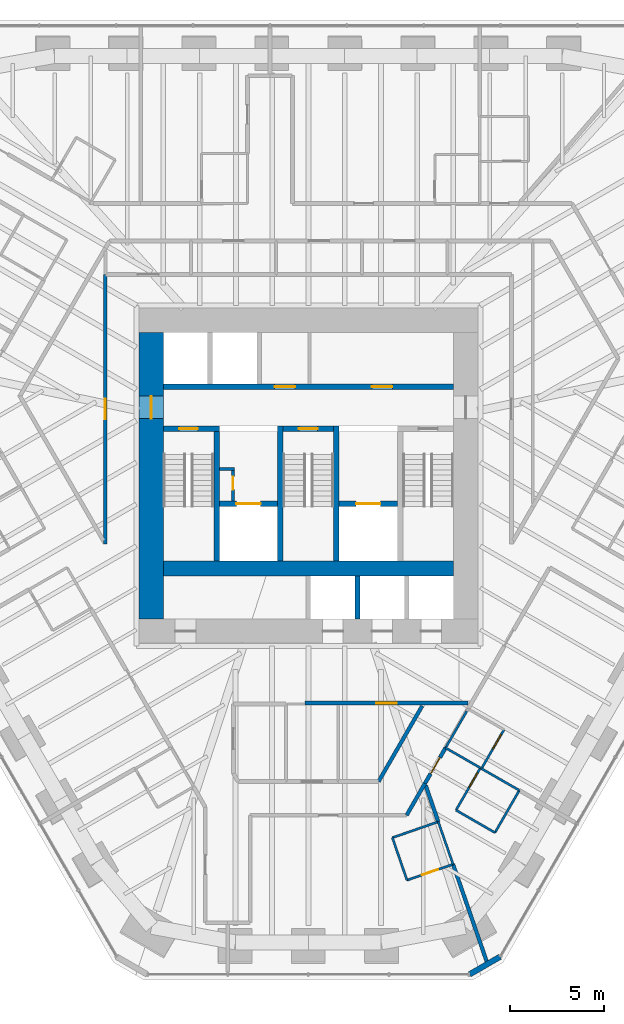
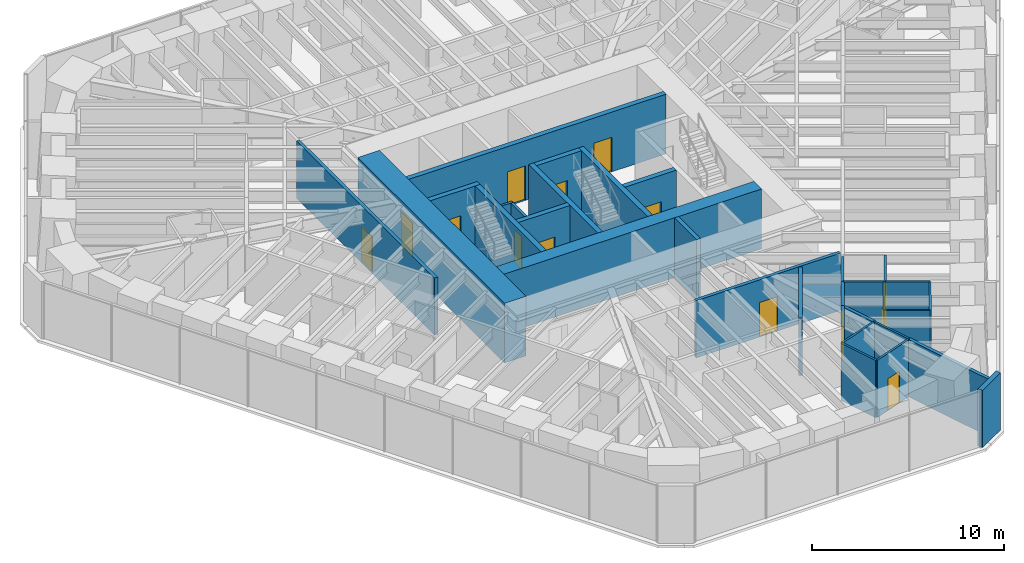
# One storey, part 12 of 18: 32 walls, 14 doors, 14 openings.
"""IFC4 building model written with IfcOpenShell, lengths in metres."""

from ifc_helpers import new_model, si_unit, direction, frame, frame_2d, origin, place, context, subcontext, project, spatial, rectangle, extrude, material, layer, layer_set, type_object, element, fill, save


model = new_model("IFC4")

# Units and contexts
model_context = context("Model", 3, precision=1e-05, world=origin(), true_north=direction((0.0, 1.0)))
body_context = subcontext(model_context, "Body", "Model", "MODEL_VIEW")
ifc_project = project(units=[si_unit("LENGTHUNIT", "METRE"), si_unit("AREAUNIT", "SQUARE_METRE"), si_unit("VOLUMEUNIT", "CUBIC_METRE"), si_unit("PLANEANGLEUNIT", "RADIAN"), si_unit("MASSUNIT", "GRAM", prefix="KILO")], contexts=[model_context])

# Site, building, storey
site_placement = place(None, origin())
site = spatial("IfcSite", under=ifc_project, at=site_placement, CompositionType="ELEMENT")
building_placement = place(site_placement, origin())
building = spatial("IfcBuilding", under=site, at=building_placement, Name="Sandreach Pilgrim Tower", CompositionType="ELEMENT")
storey_placement = place(building_placement, frame((0.0, 0.0, 153.800048828125)))
storey = spatial("IfcBuildingStorey", under=building, at=storey_placement, Name="L38", CompositionType="ELEMENT", Elevation=153.800048828125)

# Wall
ifc_material_1 = material(Name="Moisture-resistant gypsum board on steel studs", Category="steel")
ifc_layer_1 = layer(ifc_material_1, 0.1201171875)
ifc_layer_set_1 = layer_set([ifc_layer_1], Name="Bathroom partition 120")
wall_type_1 = type_object("IfcWallType", Name="Bathroom partition 120", PredefinedType="PARTITIONING", material=ifc_layer_set_1)
wall_1_placement = place(storey_placement, frame((4.489990234375, -20.889892578125, 0.0), z_axis=(0.0, 0.0, 1.0), x_axis=(0.324971746724, -0.945723724896, 0.0)))
element("IfcWall", 1, at=wall_1_placement, inside=storey, type_object=wall_type_1, Name="Bathroom partition L38-088", PredefinedType="PARTITIONING", context=body_context, shape_type="SweptSolid", body=[
    extrude(rectangle(XDim=2.400390625, YDim=0.1201171875, at=frame_2d((1.2001953125, 0.0))), origin(), (0.0, 0.0, 1.0), 3.639892578125),
])

# Wall, opening, door
wall_2_placement = place(storey_placement, frame((5.27001953125, -23.159912109375, 0.0), z_axis=(0.0, 0.0, 1.0), x_axis=(0.945184415197, 0.326537013627, 0.0)))
wall_2 = element("IfcWall", 2, at=wall_2_placement, inside=storey, type_object=wall_type_1, Name="Bathroom partition L38-090", PredefinedType="PARTITIONING", context=body_context, shape_type="SweptSolid", body=[
    extrude(rectangle(XDim=2.6025390625, YDim=0.1201171875, at=frame_2d((1.30126953125, 0.0))), origin(), (0.0, 0.0, 1.0), 3.639892578125),
])
opening_1_placement = place(wall_2_placement, frame((0.85009765625, 0.0, 0.0)))
opening_1 = element("IfcOpeningElement", 3, at=opening_1_placement, cuts=wall_2, Name="Opening D09-10B", PredefinedType="OPENING", context=body_context, shape_type="SweptSolid", body=[
    extrude(rectangle(XDim=0.89990234375, YDim=2.030029296875, at=frame_2d((0.449951171875, 1.01513671875))), frame((0.0, 0.06005859375, 0.0), z_axis=(0.0, -1.0, 0.0), x_axis=(1.0, 0.0, 0.0)), (0.0, 0.0, 1.0), 0.1201171875),
])
ifc_material_2 = material(Name="Timber door, steel frame", Category="steel")
door_type_1 = type_object("IfcDoorType", Name="Bathroom door", OperationType="SINGLE_SWING_LEFT", PredefinedType="DOOR", material=ifc_material_2)
door_1_placement = place(opening_1_placement, origin())
door_1 = element("IfcDoor", 4, at=door_1_placement, inside=storey, type_object=door_type_1, Name="Door 3810B", OperationType="SINGLE_SWING_LEFT", OverallHeight=2.030029296875, OverallWidth=0.89990234375, PredefinedType="DOOR", context=body_context, shape_type="SweptSolid", body=[
    extrude(rectangle(XDim=0.89990234375, YDim=2.030029296875, at=frame_2d((0.449951171875, 1.01513671875))), frame((0.0, 0.02490234375, 0.0), z_axis=(0.0, -1.0, 0.0), x_axis=(1.0, 0.0, 0.0)), (0.0, 0.0, 1.0), 0.050048828125),
])
fill(opening_1, door_1)

# Walls
wall_3_placement = place(storey_placement, frame((6.93994140625, -20.0400390625, 0.0), z_axis=(0.0, 0.0, 1.0), x_axis=(-0.944772080486, -0.327728112822, 0.0)))
element("IfcWall", 5, at=wall_3_placement, inside=storey, type_object=wall_type_1, Name="Bathroom partition L38-096", PredefinedType="PARTITIONING", context=body_context, shape_type="SweptSolid", body=[
    extrude(rectangle(XDim=2.59326171875, YDim=0.1201171875, at=frame_2d((1.296630859375, 0.0))), origin(), (0.0, 0.0, 1.0), 3.639892578125),
])
wall_4_placement = place(storey_placement, frame((6.93994140625, -20.0400390625, 0.0), z_axis=(0.0, 0.0, 1.0), x_axis=(0.328693963496, -0.944436487203, 0.0)))
element("IfcWall", 6, at=wall_4_placement, inside=storey, type_object=wall_type_1, Name="Bathroom partition L38-097", PredefinedType="PARTITIONING", context=body_context, shape_type="SweptSolid", body=[
    extrude(rectangle(XDim=2.403564453125, YDim=0.1201171875, at=frame_2d((1.20166015625, 0.0))), origin(), (0.0, 0.0, 1.0), 3.639892578125),
])
wall_5_placement = place(storey_placement, frame((7.330078125, -16.090087890625, 0.0), z_axis=(0.0, 0.0, 1.0), x_axis=(0.500786797394, 0.865570669302, 0.0)))
element("IfcWall", 7, at=wall_5_placement, inside=storey, type_object=wall_type_1, Name="Bathroom partition L38-098", PredefinedType="PARTITIONING", context=body_context, shape_type="SweptSolid", body=[
    extrude(rectangle(XDim=2.276123046875, YDim=0.1201171875, at=frame_2d((1.13818359375, 0.0))), origin(), (0.0, 0.0, 1.0), 3.639892578125),
])
wall_6_placement = place(storey_placement, frame((7.330078125, -16.090087890625, 0.0), z_axis=(0.0, 0.0, 1.0), x_axis=(0.866825160608, -0.498612214989, 0.0)))
element("IfcWall", 8, at=wall_6_placement, inside=storey, type_object=wall_type_1, Name="Bathroom partition L38-099", PredefinedType="PARTITIONING", context=body_context, shape_type="SweptSolid", body=[
    extrude(rectangle(XDim=2.1455078125, YDim=0.1201171875, at=frame_2d((1.07275390625, 0.0))), origin(), (0.0, 0.0, 1.0), 3.639892578125),
])
wall_7_placement = place(storey_placement, frame((7.889892578125, -19.419921875, 0.0), z_axis=(0.0, 0.0, 1.0), x_axis=(0.866202511239, -0.499693115345, 0.0)))
element("IfcWall", 9, at=wall_7_placement, inside=storey, type_object=wall_type_1, Name="Bathroom partition L38-104", PredefinedType="PARTITIONING", context=body_context, shape_type="SweptSolid", body=[
    extrude(rectangle(XDim=2.4013671875, YDim=0.1201171875, at=frame_2d((1.20068359375, 0.0))), origin(), (0.0, 0.0, 1.0), 3.639892578125),
])

# Wall, opening, door
wall_8_placement = place(storey_placement, frame((9.18994140625, -17.159912109375, 0.0), z_axis=(0.0, 0.0, 1.0), x_axis=(-0.498627694264, -0.866816256489, 0.0)))
wall_8 = element("IfcWall", 10, at=wall_8_placement, inside=storey, type_object=wall_type_1, Name="Bathroom partition L38-115", PredefinedType="PARTITIONING", context=body_context, shape_type="SweptSolid", body=[
    extrude(rectangle(XDim=2.607177734375, YDim=0.1201171875, at=frame_2d((1.3037109375, 0.0))), origin(), (0.0, 0.0, 1.0), 3.639892578125),
])
opening_2_placement = place(wall_8_placement, frame((0.300048828125, 0.0, 0.0)))
opening_2 = element("IfcOpeningElement", 11, at=opening_2_placement, cuts=wall_8, Name="Opening D09-09B", PredefinedType="OPENING", context=body_context, shape_type="SweptSolid", body=[
    extrude(rectangle(XDim=0.89990234375, YDim=2.030029296875, at=frame_2d((0.449951171875, 1.01513671875))), frame((0.0, 0.06005859375, 0.0), z_axis=(0.0, -1.0, 0.0), x_axis=(1.0, 0.0, 0.0)), (0.0, 0.0, 1.0), 0.1201171875),
])
door_2_placement = place(opening_2_placement, origin())
door_2 = element("IfcDoor", 12, at=door_2_placement, inside=storey, type_object=door_type_1, Name="Door 3809B", OperationType="SINGLE_SWING_LEFT", OverallHeight=2.030029296875, OverallWidth=0.89990234375, PredefinedType="DOOR", context=body_context, shape_type="SweptSolid", body=[
    extrude(rectangle(XDim=0.89990234375, YDim=2.030029296875, at=frame_2d((0.449951171875, 1.01513671875))), frame((0.0, 0.02490234375, 0.0), z_axis=(0.0, -1.0, 0.0), x_axis=(1.0, 0.0, 0.0)), (0.0, 0.0, 1.0), 0.050048828125),
])
fill(opening_2, door_2)

wall_9_placement = place(storey_placement, frame((9.25, -17.199951171875, 0.0), z_axis=(0.0, 0.0, 1.0), x_axis=(0.499737123639, 0.866177122335, 0.0)))
wall_9 = element("IfcWall", 13, at=wall_9_placement, inside=storey, type_object=wall_type_1, Name="Bathroom partition L38-116", PredefinedType="PARTITIONING", context=body_context, shape_type="SweptSolid", body=[
    extrude(rectangle(XDim=2.401123046875, YDim=0.1201171875, at=frame_2d((1.20068359375, 0.0))), origin(), (0.0, 0.0, 1.0), 3.639892578125),
])
opening_3_placement = place(wall_9_placement, frame((1.201416015625, 0.0, 0.0)))
opening_3 = element("IfcOpeningElement", 14, at=opening_3_placement, cuts=wall_9, Name="Opening D09-08B", PredefinedType="OPENING", context=body_context, shape_type="SweptSolid", body=[
    extrude(rectangle(XDim=0.89990234375, YDim=2.030029296875, at=frame_2d((0.449951171875, 1.01513671875))), frame((0.0, 0.06005859375, 0.0), z_axis=(0.0, -1.0, 0.0), x_axis=(1.0, 0.0, 0.0)), (0.0, 0.0, 1.0), 0.1201171875),
])
door_3_placement = place(opening_3_placement, origin())
door_3 = element("IfcDoor", 15, at=door_3_placement, inside=storey, type_object=door_type_1, Name="Door 3808B", OperationType="SINGLE_SWING_RIGHT", OverallHeight=2.030029296875, OverallWidth=0.89990234375, PredefinedType="DOOR", context=body_context, shape_type="SweptSolid", body=[
    extrude(rectangle(XDim=0.89990234375, YDim=2.030029296875, at=frame_2d((0.449951171875, 1.01513671875))), frame((0.0, 0.02490234375, 0.0), z_axis=(0.0, -1.0, 0.0), x_axis=(1.0, 0.0, 0.0)), (0.0, 0.0, 1.0), 0.050048828125),
])
fill(opening_3, door_3)

# Walls
wall_10_placement = place(storey_placement, frame((9.25, -17.199951171875, 0.0), z_axis=(0.0, 0.0, 1.0), x_axis=(0.867157547908, -0.498033921641, 0.0)))
element("IfcWall", 16, at=wall_10_placement, inside=storey, type_object=wall_type_1, Name="Bathroom partition L38-117", PredefinedType="PARTITIONING", context=body_context, shape_type="SweptSolid", body=[
    extrude(rectangle(XDim=2.32958984375, YDim=0.1201171875, at=frame_2d((1.164794921875, 0.0))), origin(), (0.0, 0.0, 1.0), 3.639892578125),
])
wall_11_placement = place(storey_placement, frame((9.969970703125, -20.6201171875, 0.0), z_axis=(0.0, 0.0, 1.0), x_axis=(0.498627694264, 0.866816256489, 0.0)))
element("IfcWall", 17, at=wall_11_placement, inside=storey, type_object=wall_type_1, Name="Bathroom partition L38-118", PredefinedType="PARTITIONING", context=body_context, shape_type="SweptSolid", body=[
    extrude(rectangle(XDim=2.607177734375, YDim=0.1201171875, at=frame_2d((1.3037109375, 0.0))), origin(), (0.0, 0.0, 1.0), 3.639892578125),
])
ifc_material_3 = material(Name="Concrete 10000 psi", Category="concrete")
ifc_layer_2 = layer(ifc_material_3, 0.300048828125)
ifc_layer_set_2 = layer_set([ifc_layer_2], Name="Core inner wall 300")
wall_type_2 = type_object("IfcWallType", Name="Core inner wall 300", PredefinedType="SHEAR", material=ifc_layer_set_2)
for number, where, z_axis, x_axis, name in (
    (18, (-4.89990234375, -6.10009765625, 0.0), (0.0, 0.0, 1.0), (0.0, 1.0, 0.0), "Core wall I0 L38"),
    (19, (-1.5, -6.10009765625, 0.0), (0.0, 0.0, 1.0), (0.0, 1.0, 0.0), "Core wall I1 L38"),
    (20, (1.5, -6.10009765625, 0.0), (0.0, 0.0, 1.0), (0.0, 1.0, 0.0), "Core wall I2 L38"),
):
    element("IfcWall", number, at=place(storey_placement, frame(where, z_axis=z_axis, x_axis=x_axis)), inside=storey, type_object=wall_type_2, Name=name, PredefinedType="SHEAR", context=body_context, shape_type="SweptSolid", body=[
        extrude(rectangle(XDim=7.2001953125, YDim=0.300048828125, at=frame_2d((3.60009765625, 0.0))), origin(), (0.0, 0.0, 1.0), 3.800048828125),
    ])

# Wall, opening, door
wall_12_placement = place(storey_placement, frame((-7.75, 0.949951171875, 0.0), z_axis=(0.0, 0.0, 1.0), x_axis=(1.0, 0.0, 0.0)))
wall_12 = element("IfcWall", 21, at=wall_12_placement, inside=storey, type_object=wall_type_2, Name="Core wall SN1 L38", PredefinedType="SHEAR", context=body_context, shape_type="SweptSolid", body=[
    extrude(rectangle(XDim=3.0, YDim=0.300048828125, at=frame_2d((1.5, 0.0))), origin(), (0.0, 0.0, 1.0), 3.800048828125),
])
opening_4_placement = place(wall_12_placement, frame((0.85009765625, 0.0, 0.0)))
opening_4 = element("IfcOpeningElement", 22, at=opening_4_placement, cuts=wall_12, Name="Opening D10S-ST1", PredefinedType="OPENING", context=body_context, shape_type="SweptSolid", body=[
    extrude(rectangle(XDim=1.0, YDim=2.199951171875, at=frame_2d((0.5, 1.10009765625))), frame((0.0, 0.14990234375, 0.0), z_axis=(0.0, -1.0, 0.0), x_axis=(1.0, 0.0, 0.0)), (0.0, 0.0, 1.0), 0.300048828125),
])
ifc_material_4 = material(Name="Steel door and frame", Category="steel")
door_type_2 = type_object("IfcDoorType", Name="Stair door", OperationType="SINGLE_SWING_LEFT", PredefinedType="DOOR", material=ifc_material_4)
door_4_placement = place(opening_4_placement, origin())
door_4 = element("IfcDoor", 23, at=door_4_placement, inside=storey, type_object=door_type_2, Name="Stair door ST1 L38", OperationType="SINGLE_SWING_LEFT", OverallHeight=2.199951171875, OverallWidth=1.0, PredefinedType="DOOR", context=body_context, shape_type="SweptSolid", body=[
    extrude(rectangle(XDim=1.0, YDim=2.199951171875, at=frame_2d((0.5, 1.10009765625))), frame((0.0, 0.02490234375, 0.0), z_axis=(0.0, -1.0, 0.0), x_axis=(1.0, 0.0, 0.0)), (0.0, 0.0, 1.0), 0.050048828125),
])
fill(opening_4, door_4)

wall_13_placement = place(storey_placement, frame((-1.35009765625, 0.949951171875, 0.0), z_axis=(0.0, 0.0, 1.0), x_axis=(1.0, 0.0, 0.0)))
wall_13 = element("IfcWall", 24, at=wall_13_placement, inside=storey, type_object=wall_type_2, Name="Core wall SN3 L38", PredefinedType="SHEAR", context=body_context, shape_type="SweptSolid", body=[
    extrude(rectangle(XDim=2.7001953125, YDim=0.300048828125, at=frame_2d((1.35009765625, 0.0))), origin(), (0.0, 0.0, 1.0), 3.800048828125),
])
opening_5_placement = place(wall_13_placement, frame((0.85009765625, 0.0, 0.0)))
opening_5 = element("IfcOpeningElement", 25, at=opening_5_placement, cuts=wall_13, Name="Opening D10S-ST3", PredefinedType="OPENING", context=body_context, shape_type="SweptSolid", body=[
    extrude(rectangle(XDim=1.0, YDim=2.199951171875, at=frame_2d((0.5, 1.10009765625))), frame((0.0, 0.14990234375, 0.0), z_axis=(0.0, -1.0, 0.0), x_axis=(1.0, 0.0, 0.0)), (0.0, 0.0, 1.0), 0.300048828125),
])
door_5_placement = place(opening_5_placement, origin())
door_5 = element("IfcDoor", 26, at=door_5_placement, inside=storey, type_object=door_type_2, Name="Stair door ST3 L38", OperationType="SINGLE_SWING_LEFT", OverallHeight=2.199951171875, OverallWidth=1.0, PredefinedType="DOOR", context=body_context, shape_type="SweptSolid", body=[
    extrude(rectangle(XDim=1.0, YDim=2.199951171875, at=frame_2d((0.5, 1.10009765625))), frame((0.0, 0.02490234375, 0.0), z_axis=(0.0, -1.0, 0.0), x_axis=(1.0, 0.0, 0.0)), (0.0, 0.0, 1.0), 0.050048828125),
])
fill(opening_5, door_5)

wall_14_placement = place(storey_placement, frame((-4.75, -3.050048828125, 0.0), z_axis=(0.0, 0.0, 1.0), x_axis=(1.0, 0.0, 0.0)))
wall_14 = element("IfcWall", 27, at=wall_14_placement, inside=storey, type_object=wall_type_2, Name="Core wall FL1 L38", PredefinedType="SHEAR", context=body_context, shape_type="SweptSolid", body=[
    extrude(rectangle(XDim=3.10009765625, YDim=0.300048828125, at=frame_2d((1.550048828125, 0.0))), origin(), (0.0, 0.0, 1.0), 3.800048828125),
])
opening_6_placement = place(wall_14_placement, frame((0.89990234375, 0.0, 0.0)))
opening_6 = element("IfcOpeningElement", 28, at=opening_6_placement, cuts=wall_14, Name="Opening LD13", PredefinedType="OPENING", context=body_context, shape_type="SweptSolid", body=[
    extrude(rectangle(XDim=1.300048828125, YDim=2.10009765625, at=frame_2d((0.64990234375, 1.050048828125))), frame((0.0, 0.14990234375, 0.0), z_axis=(0.0, -1.0, 0.0), x_axis=(1.0, 0.0, 0.0)), (0.0, 0.0, 1.0), 0.300048828125),
])
ifc_material_5 = material(Name="Steel door and frame", Category="steel")
door_type_3 = type_object("IfcDoorType", Name="Fire service lift landing door", OperationType="DOUBLE_DOOR_SLIDING", PredefinedType="DOOR", material=ifc_material_5)
door_6_placement = place(opening_6_placement, origin())
door_6 = element("IfcDoor", 29, at=door_6_placement, inside=storey, type_object=door_type_3, Name="Lift landing door FS1 L38", OperationType="DOUBLE_DOOR_SLIDING", OverallHeight=2.10009765625, OverallWidth=1.300048828125, PredefinedType="DOOR", context=body_context, shape_type="SweptSolid", body=[
    extrude(rectangle(XDim=1.300048828125, YDim=2.10009765625, at=frame_2d((0.64990234375, 1.050048828125))), frame((0.0, 0.02490234375, 0.0), z_axis=(0.0, -1.0, 0.0), x_axis=(1.0, 0.0, 0.0)), (0.0, 0.0, 1.0), 0.050048828125),
])
fill(opening_6, door_6)

wall_15_placement = place(storey_placement, frame((1.64990234375, -3.050048828125, 0.0), z_axis=(0.0, 0.0, 1.0), x_axis=(1.0, 0.0, 0.0)))
wall_15 = element("IfcWall", 30, at=wall_15_placement, inside=storey, type_object=wall_type_2, Name="Core wall FL2 L38", PredefinedType="SHEAR", context=body_context, shape_type="SweptSolid", body=[
    extrude(rectangle(XDim=3.10009765625, YDim=0.300048828125, at=frame_2d((1.550048828125, 0.0))), origin(), (0.0, 0.0, 1.0), 3.800048828125),
])
opening_7_placement = place(wall_15_placement, frame((0.89990234375, 0.0, 0.0)))
opening_7 = element("IfcOpeningElement", 31, at=opening_7_placement, cuts=wall_15, Name="Opening LD13", PredefinedType="OPENING", context=body_context, shape_type="SweptSolid", body=[
    extrude(rectangle(XDim=1.300048828125, YDim=2.10009765625, at=frame_2d((0.64990234375, 1.050048828125))), frame((0.0, 0.14990234375, 0.0), z_axis=(0.0, -1.0, 0.0), x_axis=(1.0, 0.0, 0.0)), (0.0, 0.0, 1.0), 0.300048828125),
])
door_7_placement = place(opening_7_placement, origin())
door_7 = element("IfcDoor", 32, at=door_7_placement, inside=storey, type_object=door_type_3, Name="Lift landing door FS2 L38", OperationType="DOUBLE_DOOR_SLIDING", OverallHeight=2.10009765625, OverallWidth=1.300048828125, PredefinedType="DOOR", context=body_context, shape_type="SweptSolid", body=[
    extrude(rectangle(XDim=1.300048828125, YDim=2.10009765625, at=frame_2d((0.64990234375, 1.050048828125))), frame((0.0, 0.02490234375, 0.0), z_axis=(0.0, -1.0, 0.0), x_axis=(1.0, 0.0, 0.0)), (0.0, 0.0, 1.0), 0.050048828125),
])
fill(opening_7, door_7)

# Wall, openings, doors
wall_16_placement = place(storey_placement, frame((-7.75, 3.199951171875, 0.0), z_axis=(0.0, 0.0, 1.0), x_axis=(1.0, 0.0, 0.0)))
wall_16 = element("IfcWall", 33, at=wall_16_placement, inside=storey, type_object=wall_type_2, Name="Core wall PN L38", PredefinedType="SHEAR", context=body_context, shape_type="SweptSolid", body=[
    extrude(rectangle(XDim=15.5, YDim=0.300048828125, at=frame_2d((7.75, 0.0))), origin(), (0.0, 0.0, 1.0), 3.800048828125),
])
opening_8_placement = place(wall_16_placement, frame((5.94384765625, 0.0, 0.0)))
opening_8 = element("IfcOpeningElement", 34, at=opening_8_placement, cuts=wall_16, Name="Opening D11L", PredefinedType="OPENING", context=body_context, shape_type="SweptSolid", body=[
    extrude(rectangle(XDim=1.10009765625, YDim=2.199951171875, at=frame_2d((0.550048828125, 1.10009765625))), frame((0.0, 0.14990234375, 0.0), z_axis=(0.0, -1.0, 0.0), x_axis=(1.0, 0.0, 0.0)), (0.0, 0.0, 1.0), 0.300048828125),
])
opening_9_placement = place(wall_16_placement, frame((11.143798828125, 0.0, 0.0)))
opening_9 = element("IfcOpeningElement", 35, at=opening_9_placement, cuts=wall_16, Name="Opening D11L", PredefinedType="OPENING", context=body_context, shape_type="SweptSolid", body=[
    extrude(rectangle(XDim=1.10009765625, YDim=2.199951171875, at=frame_2d((0.550048828125, 1.10009765625))), frame((0.0, 0.14990234375, 0.0), z_axis=(0.0, -1.0, 0.0), x_axis=(1.0, 0.0, 0.0)), (0.0, 0.0, 1.0), 0.300048828125),
])
ifc_material_6 = material(Name="Steel door and frame, smoke seals", Category="steel")
door_type_4 = type_object("IfcDoorType", Name="Core room door", OperationType="SINGLE_SWING_LEFT", PredefinedType="DOOR", material=ifc_material_6)
door_8_placement = place(opening_8_placement, origin())
door_8 = element("IfcDoor", 36, at=door_8_placement, inside=storey, type_object=door_type_4, Name="Door linen and housekeeping store 38K1", OperationType="SINGLE_SWING_LEFT", OverallHeight=2.199951171875, OverallWidth=1.10009765625, PredefinedType="DOOR", context=body_context, shape_type="SweptSolid", body=[
    extrude(rectangle(XDim=1.10009765625, YDim=2.199951171875, at=frame_2d((0.550048828125, 1.10009765625))), frame((0.0, 0.02490234375, 0.0), z_axis=(0.0, -1.0, 0.0), x_axis=(1.0, 0.0, 0.0)), (0.0, 0.0, 1.0), 0.050048828125),
])
fill(opening_8, door_8)
door_9_placement = place(opening_9_placement, origin())
door_9 = element("IfcDoor", 37, at=door_9_placement, inside=storey, type_object=door_type_4, Name="Door cleaners store 38K2", OperationType="SINGLE_SWING_RIGHT", OverallHeight=2.199951171875, OverallWidth=1.10009765625, PredefinedType="DOOR", context=body_context, shape_type="SweptSolid", body=[
    extrude(rectangle(XDim=1.10009765625, YDim=2.199951171875, at=frame_2d((0.550048828125, 1.10009765625))), frame((0.0, 0.02490234375, 0.0), z_axis=(0.0, -1.0, 0.0), x_axis=(1.0, 0.0, 0.0)), (0.0, 0.0, 1.0), 0.050048828125),
])
fill(opening_9, door_9)

# Wall
ifc_material_7 = material(Name="Concrete 10000 psi", Category="concrete")
ifc_layer_3 = layer(ifc_material_7, 0.800048828125)
ifc_layer_set_3 = layer_set([ifc_layer_3], Name="Core mid wall 800")
wall_type_3 = type_object("IfcWallType", Name="Core mid wall 800", PredefinedType="SHEAR", material=ifc_layer_set_3)
wall_17_placement = place(storey_placement, frame((-7.75, -6.5, 0.0), z_axis=(0.0, 0.0, 1.0), x_axis=(1.0, 0.0, 0.0)))
element("IfcWall", 38, at=wall_17_placement, inside=storey, type_object=wall_type_3, Name="Core wall M L38", PredefinedType="SHEAR", context=body_context, shape_type="SweptSolid", body=[
    extrude(rectangle(XDim=15.5, YDim=0.800048828125, at=frame_2d((7.75, 0.0))), origin(), (0.0, 0.0, 1.0), 3.800048828125),
])

# Wall, opening, door
ifc_material_8 = material(Name="Concrete 10000 psi", Category="concrete")
ifc_layer_4 = layer(ifc_material_8, 1.300048828125)
ifc_layer_set_4 = layer_set([ifc_layer_4], Name="Core wall 1300")
wall_type_4 = type_object("IfcWallType", Name="Core wall 1300", PredefinedType="SHEAR", material=ifc_layer_set_4)
wall_18_placement = place(storey_placement, frame((-8.39990234375, -9.199951171875, 0.0), z_axis=(0.0, 0.0, 1.0), x_axis=(0.0, 1.0, 0.0)))
wall_18 = element("IfcWall", 39, at=wall_18_placement, inside=storey, type_object=wall_type_4, Name="Core wall W L38", PredefinedType="SHEAR", context=body_context, shape_type="SweptSolid", body=[
    extrude(rectangle(XDim=15.300048828125, YDim=1.300048828125, at=frame_2d((7.64990234375, 0.0))), origin(), (0.0, 0.0, 1.0), 3.800048828125),
])
opening_10_placement = place(wall_18_placement, frame((10.699951171875, 0.0, 0.0)))
opening_10 = element("IfcOpeningElement", 40, at=opening_10_placement, cuts=wall_18, Name="Opening D12F-W", PredefinedType="OPENING", context=body_context, shape_type="SweptSolid", body=[
    extrude(rectangle(XDim=1.199951171875, YDim=2.199951171875, at=frame_2d((0.60009765625, 1.10009765625))), frame((0.0, 0.64990234375, 0.0), z_axis=(0.0, -1.0, 0.0), x_axis=(1.0, 0.0, 0.0)), (0.0, 0.0, 1.0), 1.300048828125),
])
ifc_material_9 = material(Name="Steel door and frame", Category="steel")
door_type_5 = type_object("IfcDoorType", Name="Fire lobby door", OperationType="SINGLE_SWING_LEFT", PredefinedType="DOOR", material=ifc_material_9)
door_10_placement = place(opening_10_placement, origin())
door_10 = element("IfcDoor", 41, at=door_10_placement, inside=storey, type_object=door_type_5, Name="Fire service lobby door W L38", OperationType="SINGLE_SWING_RIGHT", OverallHeight=2.199951171875, OverallWidth=1.199951171875, PredefinedType="DOOR", context=body_context, shape_type="SweptSolid", body=[
    extrude(rectangle(XDim=1.199951171875, YDim=2.199951171875, at=frame_2d((0.60009765625, 1.10009765625))), frame((0.0, 0.02490234375, 0.0), z_axis=(0.0, -1.0, 0.0), x_axis=(1.0, 0.0, 0.0)), (0.0, 0.0, 1.0), 0.050048828125),
])
fill(opening_10, door_10)

ifc_material_10 = material(Name="Gypsum board on steel studs, two layers each side", Category="steel")
ifc_layer_5 = layer(ifc_material_10, 0.199951171875)
ifc_layer_set_5 = layer_set([ifc_layer_5], Name="Corridor wall 200")
wall_type_5 = type_object("IfcWallType", Name="Corridor wall 200", PredefinedType="PARTITIONING", material=ifc_layer_set_5)
wall_19_placement = place(storey_placement, frame((-10.85009765625, 9.199951171875, 0.0), z_axis=(0.0, 0.0, 1.0), x_axis=(0.0, -1.0, 0.0)))
wall_19 = element("IfcWall", 42, at=wall_19_placement, inside=storey, type_object=wall_type_5, Name="Corridor wall L38-042", PredefinedType="PARTITIONING", context=body_context, shape_type="SweptSolid", body=[
    extrude(rectangle(XDim=14.389892578125, YDim=0.199951171875, at=frame_2d((7.19482421875, 0.0))), origin(), (0.0, 0.0, 1.0), 3.639892578125),
])
opening_11_placement = place(wall_19_placement, frame((6.64501953125, 0.0, 0.0)))
opening_11 = element("IfcOpeningElement", 43, at=opening_11_placement, cuts=wall_19, Name="Opening D11H-M01", PredefinedType="OPENING", context=body_context, shape_type="SweptSolid", body=[
    extrude(rectangle(XDim=1.10009765625, YDim=2.199951171875, at=frame_2d((0.550048828125, 1.10009765625))), frame((0.0, 0.10009765625, 0.0), z_axis=(0.0, -1.0, 0.0), x_axis=(1.0, 0.0, 0.0)), (0.0, 0.0, 1.0), 0.199951171875),
])
ifc_material_11 = material(Name="Steel door and frame", Category="steel")
door_type_6 = type_object("IfcDoorType", Name="Back of house door", OperationType="SINGLE_SWING_LEFT", PredefinedType="DOOR", material=ifc_material_11)
door_11_placement = place(opening_11_placement, origin())
door_11 = element("IfcDoor", 44, at=door_11_placement, inside=storey, type_object=door_type_6, Name="Door 38M01", OperationType="SINGLE_SWING_LEFT", OverallHeight=2.199951171875, OverallWidth=1.10009765625, PredefinedType="DOOR", context=body_context, shape_type="SweptSolid", body=[
    extrude(rectangle(XDim=1.10009765625, YDim=2.199951171875, at=frame_2d((0.550048828125, 1.10009765625))), frame((0.0, 0.02490234375, 0.0), z_axis=(0.0, -1.0, 0.0), x_axis=(1.0, 0.0, 0.0)), (0.0, 0.0, 1.0), 0.050048828125),
])
fill(opening_11, door_11)

# Walls
wall_20_placement = place(storey_placement, frame((5.25, -19.68994140625, 0.0), z_axis=(0.0, 0.0, 1.0), x_axis=(0.499431599995, 0.866353321068, 0.0)))
element("IfcWall", 45, at=wall_20_placement, inside=storey, type_object=wall_type_5, Name="Corridor wall L38-089", PredefinedType="PARTITIONING", context=body_context, shape_type="SweptSolid", body=[
    extrude(rectangle(XDim=1.962158203125, YDim=0.199951171875, at=frame_2d((0.98095703125, 0.0))), origin(), (0.0, 0.0, 1.0), 3.639892578125),
])
wall_21_placement = place(storey_placement, frame((6.08251953125, -13.849609375, 0.0), z_axis=(0.0, 0.0, 1.0), x_axis=(-0.499977643516, -0.866038310922, 0.0)))
element("IfcWall", 46, at=wall_21_placement, inside=storey, type_object=wall_type_5, Name="Corridor wall L38-091", PredefinedType="PARTITIONING", context=body_context, shape_type="SweptSolid", body=[
    extrude(rectangle(XDim=4.665283203125, YDim=0.199951171875, at=frame_2d((2.33251953125, 0.0))), origin(), (0.0, 0.0, 1.0), 3.639892578125),
])

# Wall, opening, door
wall_22_placement = place(storey_placement, frame((6.22998046875, -17.989990234375, 0.0), z_axis=(0.0, 0.0, 1.0), x_axis=(0.501088872721, 0.865395829453, 0.0)))
wall_22 = element("IfcWall", 47, at=wall_22_placement, inside=storey, type_object=wall_type_5, Name="Corridor wall L38-092", PredefinedType="PARTITIONING", context=body_context, shape_type="SweptSolid", body=[
    extrude(rectangle(XDim=2.1953125, YDim=0.199951171875, at=frame_2d((1.09765625, 0.0))), origin(), (0.0, 0.0, 1.0), 3.639892578125),
])
opening_12_placement = place(wall_22_placement, frame((0.59765625, 0.0, 0.0)))
opening_12 = element("IfcOpeningElement", 48, at=opening_12_placement, cuts=wall_22, Name="Opening D10-09", PredefinedType="OPENING", context=body_context, shape_type="SweptSolid", body=[
    extrude(rectangle(XDim=1.0, YDim=2.1298828125, at=frame_2d((0.5, 1.06494140625))), frame((0.0, 0.10009765625, 0.0), z_axis=(0.0, -1.0, 0.0), x_axis=(1.0, 0.0, 0.0)), (0.0, 0.0, 1.0), 0.199951171875),
])
ifc_material_12 = material(Name="Steel door and frame", Category="steel")
door_type_7 = type_object("IfcDoorType", Name="Guest room entry door", OperationType="SINGLE_SWING_LEFT", PredefinedType="DOOR", material=ifc_material_12)
door_12_placement = place(opening_12_placement, origin())
door_12 = element("IfcDoor", 49, at=door_12_placement, inside=storey, type_object=door_type_7, Name="Door 3809", OperationType="SINGLE_SWING_LEFT", OverallHeight=2.1298828125, OverallWidth=1.0, PredefinedType="DOOR", context=body_context, shape_type="SweptSolid", body=[
    extrude(rectangle(XDim=1.0, YDim=2.1298828125, at=frame_2d((0.5, 1.06494140625))), frame((0.0, 0.02490234375, 0.0), z_axis=(0.0, -1.0, 0.0), x_axis=(1.0, 0.0, 0.0)), (0.0, 0.0, 1.0), 0.050048828125),
])
fill(opening_12, door_12)

wall_23_placement = place(storey_placement, frame((8.53369140625, -13.699951171875, 0.0), z_axis=(0.0, 0.0, 1.0), x_axis=(-1.0, 0.0, 0.0)))
wall_23 = element("IfcWall", 50, at=wall_23_placement, inside=storey, type_object=wall_type_5, Name="Corridor wall L38-107", PredefinedType="PARTITIONING", context=body_context, shape_type="SweptSolid", body=[
    extrude(rectangle(XDim=8.70361328125, YDim=0.199951171875, at=frame_2d((4.351806640625, 0.0))), origin(), (0.0, 0.0, 1.0), 3.639892578125),
])
opening_13_placement = place(wall_23_placement, frame((3.8017578125, 0.0, 0.0)))
opening_13 = element("IfcOpeningElement", 51, at=opening_13_placement, cuts=wall_23, Name="Opening D11H-S4", PredefinedType="OPENING", context=body_context, shape_type="SweptSolid", body=[
    extrude(rectangle(XDim=1.10009765625, YDim=2.199951171875, at=frame_2d((0.550048828125, 1.10009765625))), frame((0.0, 0.10009765625, 0.0), z_axis=(0.0, -1.0, 0.0), x_axis=(1.0, 0.0, 0.0)), (0.0, 0.0, 1.0), 0.199951171875),
])
door_13_placement = place(opening_13_placement, origin())
door_13 = element("IfcDoor", 52, at=door_13_placement, inside=storey, type_object=door_type_6, Name="Door 38S4", OperationType="SINGLE_SWING_LEFT", OverallHeight=2.199951171875, OverallWidth=1.10009765625, PredefinedType="DOOR", context=body_context, shape_type="SweptSolid", body=[
    extrude(rectangle(XDim=1.10009765625, YDim=2.199951171875, at=frame_2d((0.550048828125, 1.10009765625))), frame((0.0, 0.02490234375, 0.0), z_axis=(0.0, -1.0, 0.0), x_axis=(1.0, 0.0, 0.0)), (0.0, 0.0, 1.0), 0.050048828125),
])
fill(opening_13, door_13)

# Walls
ifc_material_13 = material(Name="Double steel stud acoustic wall, gypsum board", Category="steel")
ifc_layer_6 = layer(ifc_material_13, 0.199951171875)
ifc_layer_set_6 = layer_set([ifc_layer_6], Name="Party wall 200")
wall_type_6 = type_object("IfcWallType", Name="Party wall 200", PredefinedType="PARTITIONING", material=ifc_layer_set_6)
wall_24_placement = place(storey_placement, frame((6.267578125, -18.0986328125, 0.0), z_axis=(0.0, 0.0, 1.0), x_axis=(0.327257488288, -0.944935202202, 0.0)))
element("IfcWall", 53, at=wall_24_placement, inside=storey, type_object=wall_type_6, Name="Party wall L38-093", PredefinedType="PARTITIONING", context=body_context, shape_type="SweptSolid", body=[
    extrude(rectangle(XDim=2.054443359375, YDim=0.199951171875, at=frame_2d((1.02734375, 0.0))), origin(), (0.0, 0.0, 1.0), 3.639892578125),
])
wall_25_placement = place(storey_placement, frame((7.72998046875, -22.31005859375, 0.0), z_axis=(0.0, 0.0, 1.0), x_axis=(0.327284111977, -0.944925981253, 0.0)))
element("IfcWall", 54, at=wall_25_placement, inside=storey, type_object=wall_type_6, Name="Party wall L38-103", PredefinedType="PARTITIONING", context=body_context, shape_type="SweptSolid", body=[
    extrude(rectangle(XDim=5.65283203125, YDim=0.199951171875, at=frame_2d((2.826416015625, 0.0))), origin(), (0.0, 0.0, 1.0), 3.639892578125),
])

# Wall, opening, door
ifc_material_14 = material(Name="Gypsum shaft wall on steel studs, shaft liner board", Category="steel")
ifc_layer_7 = layer(ifc_material_14, 0.14990234375)
ifc_layer_set_7 = layer_set([ifc_layer_7], Name="Riser shaft wall 150")
wall_type_7 = type_object("IfcWallType", Name="Riser shaft wall 150", PredefinedType="PARTITIONING", material=ifc_layer_set_7)
wall_26_placement = place(storey_placement, frame((-4.02490234375, -2.89990234375, 0.0), z_axis=(0.0, 0.0, 1.0), x_axis=(0.0, 1.0, 0.0)))
wall_26 = element("IfcWall", 55, at=wall_26_placement, inside=storey, type_object=wall_type_7, Name="Riser partition L38 side", PredefinedType="PARTITIONING", context=body_context, shape_type="SweptSolid", body=[
    extrude(rectangle(XDim=1.77490234375, YDim=0.14990234375, at=frame_2d((0.887451171875, 0.0))), origin(), (0.0, 0.0, 1.0), 3.639892578125),
])
opening_14_placement = place(wall_26_placement, frame((0.60009765625, 0.0, 0.0)))
opening_14 = element("IfcOpeningElement", 56, at=opening_14_placement, cuts=wall_26, Name="Opening D07R", PredefinedType="OPENING", context=body_context, shape_type="SweptSolid", body=[
    extrude(rectangle(XDim=0.699951171875, YDim=2.10009765625, at=frame_2d((0.35009765625, 1.050048828125))), frame((0.0, 0.074951171875, 0.0), z_axis=(0.0, -1.0, 0.0), x_axis=(1.0, 0.0, 0.0)), (0.0, 0.0, 1.0), 0.14990234375),
])
ifc_material_15 = material(Name="Steel door and frame, smoke seals", Category="steel")
door_type_8 = type_object("IfcDoorType", Name="Riser access door", OperationType="SINGLE_SWING_RIGHT", PredefinedType="DOOR", material=ifc_material_15)
door_14_placement = place(opening_14_placement, origin())
door_14 = element("IfcDoor", 57, at=door_14_placement, inside=storey, type_object=door_type_8, Name="Door riser 38ER", OperationType="SINGLE_SWING_RIGHT", OverallHeight=2.10009765625, OverallWidth=0.699951171875, PredefinedType="DOOR", context=body_context, shape_type="SweptSolid", body=[
    extrude(rectangle(XDim=0.699951171875, YDim=2.10009765625, at=frame_2d((0.35009765625, 1.050048828125))), frame((0.0, 0.02490234375, 0.0), z_axis=(0.0, -1.0, 0.0), x_axis=(1.0, 0.0, 0.0)), (0.0, 0.0, 1.0), 0.050048828125),
])
fill(opening_14, door_14)

# Walls
wall_27_placement = place(storey_placement, frame((-4.75, -1.199951171875, 0.0), z_axis=(0.0, 0.0, 1.0), x_axis=(1.0, 0.0, 0.0)))
element("IfcWall", 58, at=wall_27_placement, inside=storey, type_object=wall_type_7, Name="Riser partition L38 front", PredefinedType="PARTITIONING", context=body_context, shape_type="SweptSolid", body=[
    extrude(rectangle(XDim=0.800048828125, YDim=0.14990234375, at=frame_2d((0.39990234375, 0.0))), origin(), (0.0, 0.0, 1.0), 3.639892578125),
])
ifc_material_16 = material(Name="Gypsum shaft wall on steel studs, two layers of shaft liner board", Category="steel")
ifc_layer_8 = layer(ifc_material_16, 0.25)
ifc_layer_set_8 = layer_set([ifc_layer_8], Name="Shaft partition 250")
wall_type_8 = type_object("IfcWallType", Name="Shaft partition 250", PredefinedType="PARTITIONING", material=ifc_layer_set_8)
wall_28_placement = place(storey_placement, frame((2.625, -9.199951171875, 0.0), z_axis=(0.0, 0.0, 1.0), x_axis=(0.0, 1.0, 0.0)))
element("IfcWall", 59, at=wall_28_placement, inside=storey, type_object=wall_type_8, Name="Shaft partition XS3 L38", PredefinedType="PARTITIONING", context=body_context, shape_type="SweptSolid", body=[
    extrude(rectangle(XDim=2.300048828125, YDim=0.25, at=frame_2d((1.14990234375, 0.0))), origin(), (0.0, 0.0, 1.0), 3.800048828125),
])
ifc_material_17 = material(Name="Terracotta rainscreen on concrete", Category="masonry")
ifc_layer_9 = layer(ifc_material_17, 0.300048828125)
ifc_layer_set_9 = layer_set([ifc_layer_9], Name="Terracotta chamfer pier")
wall_type_9 = type_object("IfcWallType", Name="Terracotta chamfer pier", PredefinedType="SOLIDWALL", material=ifc_layer_set_9)
wall_29_placement = place(storey_placement, frame((10.239501953125, -27.252197265625, 0.0), z_axis=(0.0, 0.0, 1.0), x_axis=(-0.866045024864, -0.499966013754, 0.0)))
element("IfcWall", 60, at=wall_29_placement, inside=storey, type_object=wall_type_9, Name="Chamfer pier L38 SE", PredefinedType="SOLIDWALL", context=body_context, shape_type="SweptSolid", body=[
    extrude(rectangle(XDim=1.880126953125, YDim=0.300048828125, at=frame_2d((0.93994140625, 0.0))), origin(), (0.0, 0.0, 1.0), 3.639892578125),
])

save(model, "model.ifc")
